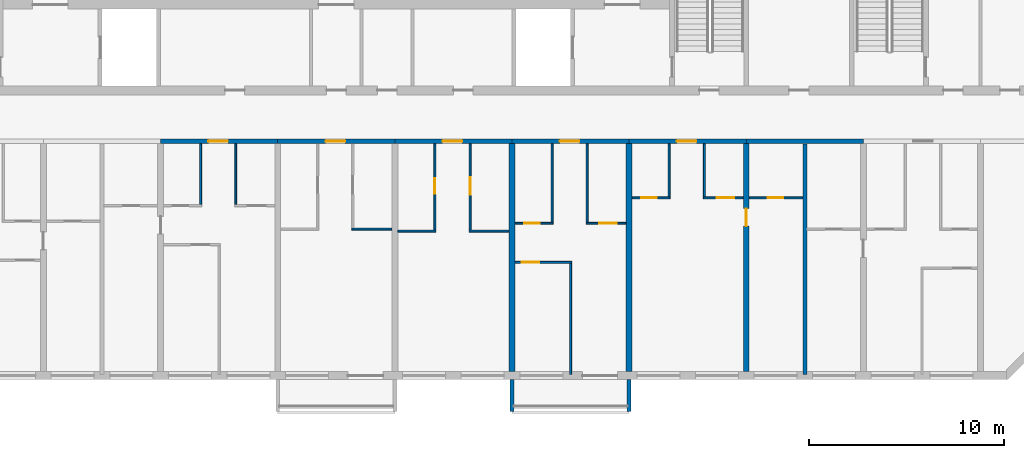
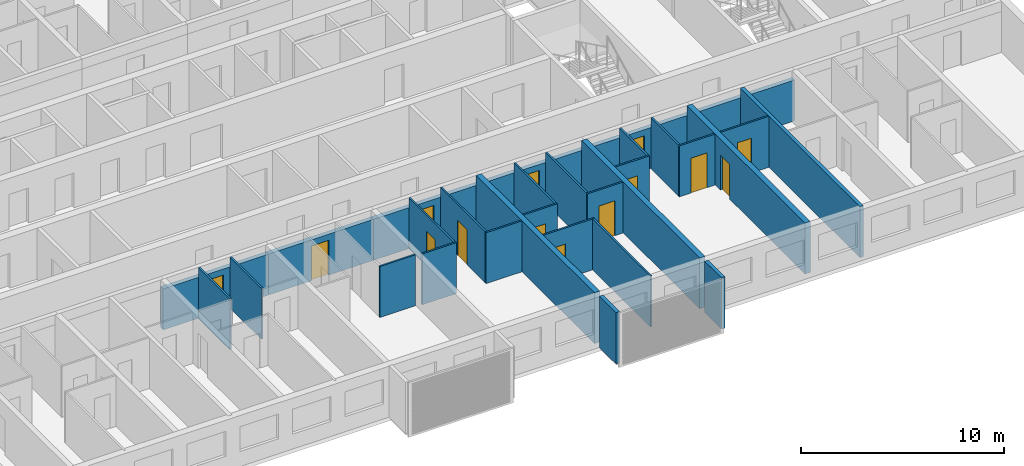
# One storey, part 5 of 31: 30 walls, 14 doors, 14 openings.
"""IFC4 building model written with IfcOpenShell, lengths in metres."""

from ifc_helpers import new_model, si_unit, direction, frame, frame_2d, origin, place, context, subcontext, project, spatial, polyline, rectangle, outline, extrude, source, transform, mapped, material, layer, layer_set, type_object, element, fill, save


model = new_model("IFC4")

# Units and contexts
model_context = context("Model", 3, precision=1e-05, world=origin(), true_north=direction((0.0, 1.0)))
body_context = subcontext(model_context, "Body", "Model", "MODEL_VIEW")
ifc_project = project(units=[si_unit("LENGTHUNIT", "METRE"), si_unit("AREAUNIT", "SQUARE_METRE"), si_unit("VOLUMEUNIT", "CUBIC_METRE"), si_unit("PLANEANGLEUNIT", "RADIAN"), si_unit("MASSUNIT", "GRAM", prefix="KILO")], contexts=[model_context])

# Site, building, storey
site_placement = place(None, origin())
site = spatial("IfcSite", under=ifc_project, at=site_placement, CompositionType="ELEMENT")
building_placement = place(site_placement, origin())
building = spatial("IfcBuilding", under=site, at=building_placement, Name="Poui Terraces", CompositionType="ELEMENT")
storey_placement = place(building_placement, frame((0.0, 0.0, 145.5)))
storey = spatial("IfcBuildingStorey", under=building, at=storey_placement, Name="L40", CompositionType="ELEMENT", Elevation=145.5)

# Wall, opening, door
ifc_material_1 = material(Name="Concrete 65 MPa", Category="concrete")
ifc_layer_1 = layer(ifc_material_1, 0.25)
ifc_layer_set_1 = layer_set([ifc_layer_1], Name="Concrete 65 MPa")
wall_type_1 = type_object("IfcWallType", Name="CORRIDOR WALL 250 65MPa", PredefinedType="SHEAR", material=ifc_layer_set_1)
wall_1_placement = place(storey_placement, frame((42.0, 12.0, 0.0), z_axis=(0.0, 0.0, 1.0), x_axis=(1.0, 0.0, 0.0)))
wall_1 = element("IfcWall", 1, at=wall_1_placement, inside=storey, type_object=wall_type_1, Name="CORRIDOR WALL LINE B BAY 6", PredefinedType="SHEAR", context=body_context, shape_type="SweptSolid", body=[
    extrude(rectangle(XDim=6.0, YDim=0.25, at=frame_2d((3.0, 0.0))), origin(), (0.0, 0.0, 1.0), 2.469970703125),
])
opening_1_placement = place(wall_1_placement, frame((2.449951171875, 0.0, 0.0)))
opening_1 = element("IfcOpeningElement", 2, at=opening_1_placement, cuts=wall_1, Name="Opening FD30S", PredefinedType="OPENING", context=body_context, shape_type="SweptSolid", body=[
    extrude(rectangle(XDim=1.0, YDim=2.10009765625, at=frame_2d((0.5, 1.050048828125))), frame((0.0, 0.135009765625, 0.0), z_axis=(0.0, -1.0, 0.0), x_axis=(1.0, 0.0, 0.0)), (0.0, 0.0, 1.0), 0.27001953125),
])
ifc_material_2 = material(Name="Steel fire door", Category="steel")
door_type_1 = type_object("IfcDoorType", Name="FLAT ENTRANCE DOOR 1000 X 2100", OperationType="NOTDEFINED", PredefinedType="DOOR", material=ifc_material_2)
door_1_placement = place(opening_1_placement, frame((1.0, 0.0, 0.0), z_axis=(0.0, 0.0, 1.0), x_axis=(-1.0, 0.0, 0.0)))
door_1 = element("IfcDoor", 3, at=door_1_placement, inside=storey, type_object=door_type_1, Name="FLAT ENTRANCE DOOR 096", OperationType="SINGLE_SWING_RIGHT", OverallHeight=2.10009765625, OverallWidth=1.0, PredefinedType="DOOR", context=body_context, shape_type="SweptSolid", body=[
    extrude(rectangle(XDim=1.0, YDim=2.10009765625, at=frame_2d((0.5, 1.050048828125))), frame((0.0, 0.02490234375, 0.0), z_axis=(0.0, -1.0, 0.0), x_axis=(1.0, 0.0, 0.0)), (0.0, 0.0, 1.0), 0.050048828125),
])
fill(opening_1, door_1)

wall_2_placement = place(storey_placement, frame((48.0, 12.0, 0.0), z_axis=(0.0, 0.0, 1.0), x_axis=(1.0, 0.0, 0.0)))
wall_2 = element("IfcWall", 4, at=wall_2_placement, inside=storey, type_object=wall_type_1, Name="CORRIDOR WALL LINE B BAY 7", PredefinedType="SHEAR", context=body_context, shape_type="SweptSolid", body=[
    extrude(rectangle(XDim=6.0, YDim=0.25, at=frame_2d((3.0, 0.0))), origin(), (0.0, 0.0, 1.0), 2.469970703125),
])
opening_2_placement = place(wall_2_placement, frame((2.449951171875, 0.0, 0.0)))
opening_2 = element("IfcOpeningElement", 5, at=opening_2_placement, cuts=wall_2, Name="Opening FD30S", PredefinedType="OPENING", context=body_context, shape_type="SweptSolid", body=[
    extrude(rectangle(XDim=1.0, YDim=2.10009765625, at=frame_2d((0.5, 1.050048828125))), frame((0.0, 0.135009765625, 0.0), z_axis=(0.0, -1.0, 0.0), x_axis=(1.0, 0.0, 0.0)), (0.0, 0.0, 1.0), 0.27001953125),
])
door_2_placement = place(opening_2_placement, frame((1.0, 0.0, 0.0), z_axis=(0.0, 0.0, 1.0), x_axis=(-1.0, 0.0, 0.0)))
door_2 = element("IfcDoor", 6, at=door_2_placement, inside=storey, type_object=door_type_1, Name="FLAT ENTRANCE DOOR 099", OperationType="SINGLE_SWING_RIGHT", OverallHeight=2.10009765625, OverallWidth=1.0, PredefinedType="DOOR", context=body_context, shape_type="SweptSolid", body=[
    extrude(rectangle(XDim=1.0, YDim=2.10009765625, at=frame_2d((0.5, 1.050048828125))), frame((0.0, 0.02490234375, 0.0), z_axis=(0.0, -1.0, 0.0), x_axis=(1.0, 0.0, 0.0)), (0.0, 0.0, 1.0), 0.050048828125),
])
fill(opening_2, door_2)

wall_3_placement = place(storey_placement, frame((54.0, 12.0, 0.0), z_axis=(0.0, 0.0, 1.0), x_axis=(1.0, 0.0, 0.0)))
wall_3 = element("IfcWall", 7, at=wall_3_placement, inside=storey, type_object=wall_type_1, Name="CORRIDOR WALL LINE B BAY 8", PredefinedType="SHEAR", context=body_context, shape_type="SweptSolid", body=[
    extrude(rectangle(XDim=6.0, YDim=0.25, at=frame_2d((3.0, 0.0))), origin(), (0.0, 0.0, 1.0), 2.469970703125),
])
opening_3_placement = place(wall_3_placement, frame((2.449951171875, 0.0, 0.0)))
opening_3 = element("IfcOpeningElement", 8, at=opening_3_placement, cuts=wall_3, Name="Opening FD30S", PredefinedType="OPENING", context=body_context, shape_type="SweptSolid", body=[
    extrude(rectangle(XDim=1.0, YDim=2.10009765625, at=frame_2d((0.5, 1.050048828125))), frame((0.0, 0.135009765625, 0.0), z_axis=(0.0, -1.0, 0.0), x_axis=(1.0, 0.0, 0.0)), (0.0, 0.0, 1.0), 0.27001953125),
])
door_3_placement = place(opening_3_placement, frame((1.0, 0.0, 0.0), z_axis=(0.0, 0.0, 1.0), x_axis=(-1.0, 0.0, 0.0)))
door_3 = element("IfcDoor", 9, at=door_3_placement, inside=storey, type_object=door_type_1, Name="FLAT ENTRANCE DOOR 102", OperationType="SINGLE_SWING_RIGHT", OverallHeight=2.10009765625, OverallWidth=1.0, PredefinedType="DOOR", context=body_context, shape_type="SweptSolid", body=[
    extrude(rectangle(XDim=1.0, YDim=2.10009765625, at=frame_2d((0.5, 1.050048828125))), frame((0.0, 0.02490234375, 0.0), z_axis=(0.0, -1.0, 0.0), x_axis=(1.0, 0.0, 0.0)), (0.0, 0.0, 1.0), 0.050048828125),
])
fill(opening_3, door_3)

wall_4_placement = place(storey_placement, frame((60.0, 12.0, 0.0), z_axis=(0.0, 0.0, 1.0), x_axis=(1.0, 0.0, 0.0)))
wall_4 = element("IfcWall", 10, at=wall_4_placement, inside=storey, type_object=wall_type_1, Name="CORRIDOR WALL LINE B BAY 9", PredefinedType="SHEAR", context=body_context, shape_type="SweptSolid", body=[
    extrude(rectangle(XDim=6.0, YDim=0.25, at=frame_2d((3.0, 0.0))), origin(), (0.0, 0.0, 1.0), 2.469970703125),
])
opening_4_placement = place(wall_4_placement, frame((2.449951171875, 0.0, 0.0)))
opening_4 = element("IfcOpeningElement", 11, at=opening_4_placement, cuts=wall_4, Name="Opening FD30S", PredefinedType="OPENING", context=body_context, shape_type="SweptSolid", body=[
    extrude(rectangle(XDim=1.0, YDim=2.10009765625, at=frame_2d((0.5, 1.050048828125))), frame((0.0, 0.135009765625, 0.0), z_axis=(0.0, -1.0, 0.0), x_axis=(1.0, 0.0, 0.0)), (0.0, 0.0, 1.0), 0.27001953125),
])
door_4_placement = place(opening_4_placement, frame((1.0, 0.0, 0.0), z_axis=(0.0, 0.0, 1.0), x_axis=(-1.0, 0.0, 0.0)))
door_4 = element("IfcDoor", 12, at=door_4_placement, inside=storey, type_object=door_type_1, Name="FLAT ENTRANCE DOOR 106", OperationType="SINGLE_SWING_RIGHT", OverallHeight=2.10009765625, OverallWidth=1.0, PredefinedType="DOOR", context=body_context, shape_type="SweptSolid", body=[
    extrude(rectangle(XDim=1.0, YDim=2.10009765625, at=frame_2d((0.5, 1.050048828125))), frame((0.0, 0.02490234375, 0.0), z_axis=(0.0, -1.0, 0.0), x_axis=(1.0, 0.0, 0.0)), (0.0, 0.0, 1.0), 0.050048828125),
])
fill(opening_4, door_4)

wall_5_placement = place(storey_placement, frame((66.0, 12.0, 0.0), z_axis=(0.0, 0.0, 1.0), x_axis=(1.0, 0.0, 0.0)))
wall_5 = element("IfcWall", 13, at=wall_5_placement, inside=storey, type_object=wall_type_1, Name="CORRIDOR WALL LINE B BAY 10", PredefinedType="SHEAR", context=body_context, shape_type="SweptSolid", body=[
    extrude(rectangle(XDim=6.0, YDim=0.25, at=frame_2d((3.0, 0.0))), origin(), (0.0, 0.0, 1.0), 2.469970703125),
])
opening_5_placement = place(wall_5_placement, frame((2.449951171875, 0.0, 0.0)))
opening_5 = element("IfcOpeningElement", 14, at=opening_5_placement, cuts=wall_5, Name="Opening FD30S", PredefinedType="OPENING", context=body_context, shape_type="SweptSolid", body=[
    extrude(rectangle(XDim=1.0, YDim=2.10009765625, at=frame_2d((0.5, 1.050048828125))), frame((0.0, 0.135009765625, 0.0), z_axis=(0.0, -1.0, 0.0), x_axis=(1.0, 0.0, 0.0)), (0.0, 0.0, 1.0), 0.27001953125),
])
door_5_placement = place(opening_5_placement, frame((1.0, 0.0, 0.0), z_axis=(0.0, 0.0, 1.0), x_axis=(-1.0, 0.0, 0.0)))
door_5 = element("IfcDoor", 15, at=door_5_placement, inside=storey, type_object=door_type_1, Name="FLAT ENTRANCE DOOR 110", OperationType="SINGLE_SWING_RIGHT", OverallHeight=2.10009765625, OverallWidth=1.0, PredefinedType="DOOR", context=body_context, shape_type="SweptSolid", body=[
    extrude(rectangle(XDim=1.0, YDim=2.10009765625, at=frame_2d((0.5, 1.050048828125))), frame((0.0, 0.02490234375, 0.0), z_axis=(0.0, -1.0, 0.0), x_axis=(1.0, 0.0, 0.0)), (0.0, 0.0, 1.0), 0.050048828125),
])
fill(opening_5, door_5)

# Walls
wall_6_placement = place(storey_placement, frame((72.0, 12.0, 0.0), z_axis=(0.0, 0.0, 1.0), x_axis=(1.0, 0.0, 0.0)))
element("IfcWall", 16, at=wall_6_placement, inside=storey, type_object=wall_type_1, Name="CORRIDOR WALL LINE B BAY 11", PredefinedType="SHEAR", context=body_context, shape_type="SweptSolid", body=[
    extrude(rectangle(XDim=6.0, YDim=0.25, at=frame_2d((3.0, 0.0))), origin(), (0.0, 0.0, 1.0), 2.469970703125),
])
ifc_layer_2 = layer(ifc_material_1, 0.300048828125)
ifc_layer_set_2 = layer_set([ifc_layer_2], Name="Concrete 65 MPa")
wall_type_2 = type_object("IfcWallType", Name="CROSS WALL 300 65MPa", PredefinedType="SHEAR", material=ifc_layer_set_2)
for number, where, z_axis, x_axis, name in (
    (17, (60.0, 0.199951171875, 0.0), (0.0, 0.0, 1.0), (0.0, 1.0, 0.0), "CROSS WALL LINE 11 SOUTH"),
    (18, (66.0, 0.199951171875, 0.0), (0.0, 0.0, 1.0), (0.0, 1.0, 0.0), "CROSS WALL LINE 12 SOUTH"),
):
    element("IfcWall", number, at=place(storey_placement, frame(where, z_axis=z_axis, x_axis=x_axis)), inside=storey, type_object=wall_type_2, Name=name, PredefinedType="SHEAR", context=body_context, shape_type="SweptSolid", body=[
        extrude(rectangle(XDim=11.675048828125, YDim=0.300048828125, at=frame_2d((5.83740234375, 0.0))), origin(), (0.0, 0.0, 1.0), 3.070068359375),
    ])

# Wall, opening, door
wall_7_placement = place(storey_placement, frame((72.0, 0.199951171875, 0.0), z_axis=(0.0, 0.0, 1.0), x_axis=(0.0, 1.0, 0.0)))
wall_7 = element("IfcWall", 19, at=wall_7_placement, inside=storey, type_object=wall_type_2, Name="CROSS WALL LINE 13 SOUTH", PredefinedType="SHEAR", context=body_context, shape_type="SweptSolid", body=[
    extrude(rectangle(XDim=11.675048828125, YDim=0.300048828125, at=frame_2d((5.83740234375, 0.0))), origin(), (0.0, 0.0, 1.0), 3.070068359375),
])
opening_6_placement = place(wall_7_placement, frame((7.449951171875, 0.0, 0.0)))
opening_6 = element("IfcOpeningElement", 20, at=opening_6_placement, cuts=wall_7, Name="Opening D90", PredefinedType="OPENING", context=body_context, shape_type="SweptSolid", body=[
    extrude(rectangle(XDim=0.89990234375, YDim=2.10009765625, at=frame_2d((0.449951171875, 1.050048828125))), frame((0.0, 0.16015625, 0.0), z_axis=(0.0, -1.0, 0.0), x_axis=(1.0, 0.0, 0.0)), (0.0, 0.0, 1.0), 0.320068359375),
])
ifc_material_3 = material(Name="Solid core timber door", Category="wood")
door_type_2 = type_object("IfcDoorType", Name="INTERNAL DOOR 900 X 2100", OperationType="NOTDEFINED", PredefinedType="DOOR", material=ifc_material_3)
door_6_placement = place(opening_6_placement, frame((0.89990234375, 0.0, 0.0), z_axis=(0.0, 0.0, 1.0), x_axis=(-1.0, 0.0, 0.0)))
door_6 = element("IfcDoor", 21, at=door_6_placement, inside=storey, type_object=door_type_2, Name="INTERNAL DOOR 112", OperationType="SINGLE_SWING_LEFT", OverallHeight=2.10009765625, OverallWidth=0.89990234375, PredefinedType="DOOR", context=body_context, shape_type="SweptSolid", body=[
    extrude(rectangle(XDim=0.89990234375, YDim=2.10009765625, at=frame_2d((0.449951171875, 1.050048828125))), frame((0.0, 0.02490234375, 0.0), z_axis=(0.0, -1.0, 0.0), x_axis=(1.0, 0.0, 0.0)), (0.0, 0.0, 1.0), 0.050048828125),
])
fill(opening_6, door_6)

ifc_material_4 = material(Name="Plasterboard partition")
ifc_layer_3 = layer(ifc_material_4, 0.10009765625)
ifc_layer_set_3 = layer_set([ifc_layer_3], Name="Plasterboard partition")
wall_type_3 = type_object("IfcWallType", Name="FLAT PARTITION 100", PredefinedType="PARTITIONING", material=ifc_layer_set_3)
wall_8_placement = place(storey_placement, frame((60.159912109375, 5.800048828125, 0.0), z_axis=(0.0, 0.0, 1.0), x_axis=(1.0, 0.0, 0.0)))
wall_8 = element("IfcWall", 22, at=wall_8_placement, inside=storey, type_object=wall_type_3, Name="FLAT PARTITION 100", PredefinedType="PARTITIONING", context=body_context, shape_type="SweptSolid", body=[
    extrude(rectangle(XDim=2.89013671875, YDim=0.10009765625, at=frame_2d((1.445068359375, 0.0))), origin(), (0.0, 0.0, 1.0), 3.070068359375),
])
opening_7_placement = place(wall_8_placement, frame((0.340087890625, 0.0, 0.0)))
opening_7 = element("IfcOpeningElement", 23, at=opening_7_placement, cuts=wall_8, Name="Opening D90", PredefinedType="OPENING", context=body_context, shape_type="SweptSolid", body=[
    extrude(rectangle(XDim=0.89990234375, YDim=2.10009765625, at=frame_2d((0.449951171875, 1.050048828125))), frame((0.0, 0.06005859375, 0.0), z_axis=(0.0, -1.0, 0.0), x_axis=(1.0, 0.0, 0.0)), (0.0, 0.0, 1.0), 0.1201171875),
])
door_7_placement = place(opening_7_placement, origin())
door_7 = element("IfcDoor", 24, at=door_7_placement, inside=storey, type_object=door_type_2, Name="INTERNAL DOOR 104", OperationType="SINGLE_SWING_RIGHT", OverallHeight=2.10009765625, OverallWidth=0.89990234375, PredefinedType="DOOR", context=body_context, shape_type="SweptSolid", body=[
    extrude(rectangle(XDim=0.89990234375, YDim=2.10009765625, at=frame_2d((0.449951171875, 1.050048828125))), frame((0.0, 0.02490234375, 0.0), z_axis=(0.0, -1.0, 0.0), x_axis=(1.0, 0.0, 0.0)), (0.0, 0.0, 1.0), 0.050048828125),
])
fill(opening_7, door_7)

# Walls
wall_9_placement = place(storey_placement, frame((54.159912109375, 7.39990234375, 0.0), z_axis=(0.0, 0.0, 1.0), x_axis=(1.0, 0.0, 0.0)))
element("IfcWall", 25, at=wall_9_placement, inside=storey, type_object=wall_type_3, Name="FLAT PARTITION 100", PredefinedType="PARTITIONING", context=body_context, shape_type="SweptSolid", body=[
    extrude(rectangle(XDim=1.940185546875, YDim=0.10009765625, at=frame_2d((0.97021484375, 0.0))), origin(), (0.0, 0.0, 1.0), 3.070068359375),
])
for number, where, z_axis, x_axis, name in (
    (26, (57.800048828125, 7.39990234375, 0.0), (0.0, 0.0, 1.0), (1.0, 0.0, 0.0), "FLAT PARTITION 100"),
    (27, (51.800048828125, 7.5, 0.0), (0.0, 0.0, 1.0), (1.0, 0.0, 0.0), "FLAT PARTITION 100"),
):
    element("IfcWall", number, at=place(storey_placement, frame(where, z_axis=z_axis, x_axis=x_axis)), inside=storey, type_object=wall_type_3, Name=name, PredefinedType="PARTITIONING", context=body_context, shape_type="SweptSolid", body=[
        extrude(rectangle(XDim=2.0400390625, YDim=0.10009765625, at=frame_2d((1.02001953125, 0.0))), origin(), (0.0, 0.0, 1.0), 3.070068359375),
    ])

# Wall, opening, door
wall_10_placement = place(storey_placement, frame((60.159912109375, 7.800048828125, 0.0), z_axis=(0.0, 0.0, 1.0), x_axis=(1.0, 0.0, 0.0)))
wall_10 = element("IfcWall", 28, at=wall_10_placement, inside=storey, type_object=wall_type_3, Name="FLAT PARTITION 100", PredefinedType="PARTITIONING", context=body_context, shape_type="SweptSolid", body=[
    extrude(rectangle(XDim=1.940185546875, YDim=0.10009765625, at=frame_2d((0.97021484375, 0.0))), origin(), (0.0, 0.0, 1.0), 3.070068359375),
])
opening_8_placement = place(wall_10_placement, frame((0.465087890625, 0.0, 0.0)))
opening_8 = element("IfcOpeningElement", 29, at=opening_8_placement, cuts=wall_10, Name="Opening D80", PredefinedType="OPENING", context=body_context, shape_type="SweptSolid", body=[
    extrude(rectangle(XDim=0.800048828125, YDim=2.10009765625, at=frame_2d((0.39990234375, 1.050048828125))), frame((0.0, 0.06005859375, 0.0), z_axis=(0.0, -1.0, 0.0), x_axis=(1.0, 0.0, 0.0)), (0.0, 0.0, 1.0), 0.1201171875),
])
door_type_3 = type_object("IfcDoorType", Name="BATHROOM, LAUNDRY AND STORE DOOR 800 X 2100", OperationType="NOTDEFINED", PredefinedType="DOOR", material=ifc_material_3)
door_8_placement = place(opening_8_placement, origin())
door_8 = element("IfcDoor", 30, at=door_8_placement, inside=storey, type_object=door_type_3, Name="BATHROOM, LAUNDRY AND STORE DOOR 105", OperationType="SINGLE_SWING_LEFT", OverallHeight=2.10009765625, OverallWidth=0.800048828125, PredefinedType="DOOR", context=body_context, shape_type="SweptSolid", body=[
    extrude(rectangle(XDim=0.800048828125, YDim=2.10009765625, at=frame_2d((0.39990234375, 1.050048828125))), frame((0.0, 0.02490234375, 0.0), z_axis=(0.0, -1.0, 0.0), x_axis=(1.0, 0.0, 0.0)), (0.0, 0.0, 1.0), 0.050048828125),
])
fill(opening_8, door_8)

wall_11_placement = place(storey_placement, frame((63.800048828125, 7.800048828125, 0.0), z_axis=(0.0, 0.0, 1.0), x_axis=(1.0, 0.0, 0.0)))
wall_11 = element("IfcWall", 31, at=wall_11_placement, inside=storey, type_object=wall_type_3, Name="FLAT PARTITION 100", PredefinedType="PARTITIONING", context=body_context, shape_type="SweptSolid", body=[
    extrude(rectangle(XDim=2.0400390625, YDim=0.10009765625, at=frame_2d((1.02001953125, 0.0))), origin(), (0.0, 0.0, 1.0), 3.070068359375),
])
opening_9_placement = place(wall_11_placement, frame((0.675048828125, 0.0, 0.0)))
opening_9 = element("IfcOpeningElement", 32, at=opening_9_placement, cuts=wall_11, Name="Opening D90", PredefinedType="OPENING", context=body_context, shape_type="SweptSolid", body=[
    extrude(rectangle(XDim=0.89990234375, YDim=2.10009765625, at=frame_2d((0.449951171875, 1.050048828125))), frame((0.0, 0.06005859375, 0.0), z_axis=(0.0, -1.0, 0.0), x_axis=(1.0, 0.0, 0.0)), (0.0, 0.0, 1.0), 0.1201171875),
])
door_9_placement = place(opening_9_placement, origin())
door_9 = element("IfcDoor", 33, at=door_9_placement, inside=storey, type_object=door_type_2, Name="INTERNAL DOOR 107", OperationType="SINGLE_SWING_RIGHT", OverallHeight=2.10009765625, OverallWidth=0.89990234375, PredefinedType="DOOR", context=body_context, shape_type="SweptSolid", body=[
    extrude(rectangle(XDim=0.89990234375, YDim=2.10009765625, at=frame_2d((0.449951171875, 1.050048828125))), frame((0.0, 0.02490234375, 0.0), z_axis=(0.0, -1.0, 0.0), x_axis=(1.0, 0.0, 0.0)), (0.0, 0.0, 1.0), 0.050048828125),
])
fill(opening_9, door_9)

wall_12_placement = place(storey_placement, frame((66.159912109375, 9.10009765625, 0.0), z_axis=(0.0, 0.0, 1.0), x_axis=(1.0, 0.0, 0.0)))
wall_12 = element("IfcWall", 34, at=wall_12_placement, inside=storey, type_object=wall_type_3, Name="FLAT PARTITION 100", PredefinedType="PARTITIONING", context=body_context, shape_type="SweptSolid", body=[
    extrude(rectangle(XDim=1.940185546875, YDim=0.10009765625, at=frame_2d((0.97021484375, 0.0))), origin(), (0.0, 0.0, 1.0), 3.070068359375),
])
opening_10_placement = place(wall_12_placement, frame((0.465087890625, 0.0, 0.0)))
opening_10 = element("IfcOpeningElement", 35, at=opening_10_placement, cuts=wall_12, Name="Opening D80", PredefinedType="OPENING", context=body_context, shape_type="SweptSolid", body=[
    extrude(rectangle(XDim=0.800048828125, YDim=2.10009765625, at=frame_2d((0.39990234375, 1.050048828125))), frame((0.0, 0.06005859375, 0.0), z_axis=(0.0, -1.0, 0.0), x_axis=(1.0, 0.0, 0.0)), (0.0, 0.0, 1.0), 0.1201171875),
])
door_10_placement = place(opening_10_placement, origin())
door_10 = element("IfcDoor", 36, at=door_10_placement, inside=storey, type_object=door_type_3, Name="BATHROOM, LAUNDRY AND STORE DOOR 109", OperationType="SINGLE_SWING_LEFT", OverallHeight=2.10009765625, OverallWidth=0.800048828125, PredefinedType="DOOR", context=body_context, shape_type="SweptSolid", body=[
    extrude(rectangle(XDim=0.800048828125, YDim=2.10009765625, at=frame_2d((0.39990234375, 1.050048828125))), frame((0.0, 0.02490234375, 0.0), z_axis=(0.0, -1.0, 0.0), x_axis=(1.0, 0.0, 0.0)), (0.0, 0.0, 1.0), 0.050048828125),
])
fill(opening_10, door_10)

wall_13_placement = place(storey_placement, frame((69.800048828125, 9.10009765625, 0.0), z_axis=(0.0, 0.0, 1.0), x_axis=(1.0, 0.0, 0.0)))
wall_13 = element("IfcWall", 37, at=wall_13_placement, inside=storey, type_object=wall_type_3, Name="FLAT PARTITION 100", PredefinedType="PARTITIONING", context=body_context, shape_type="SweptSolid", body=[
    extrude(rectangle(XDim=2.0400390625, YDim=0.10009765625, at=frame_2d((1.02001953125, 0.0))), origin(), (0.0, 0.0, 1.0), 3.070068359375),
])
opening_11_placement = place(wall_13_placement, frame((0.675048828125, 0.0, 0.0)))
opening_11 = element("IfcOpeningElement", 38, at=opening_11_placement, cuts=wall_13, Name="Opening D90", PredefinedType="OPENING", context=body_context, shape_type="SweptSolid", body=[
    extrude(rectangle(XDim=0.89990234375, YDim=2.10009765625, at=frame_2d((0.449951171875, 1.050048828125))), frame((0.0, 0.06005859375, 0.0), z_axis=(0.0, -1.0, 0.0), x_axis=(1.0, 0.0, 0.0)), (0.0, 0.0, 1.0), 0.1201171875),
])
door_11_placement = place(opening_11_placement, origin())
door_11 = element("IfcDoor", 39, at=door_11_placement, inside=storey, type_object=door_type_2, Name="INTERNAL DOOR 111", OperationType="SINGLE_SWING_RIGHT", OverallHeight=2.10009765625, OverallWidth=0.89990234375, PredefinedType="DOOR", context=body_context, shape_type="SweptSolid", body=[
    extrude(rectangle(XDim=0.89990234375, YDim=2.10009765625, at=frame_2d((0.449951171875, 1.050048828125))), frame((0.0, 0.02490234375, 0.0), z_axis=(0.0, -1.0, 0.0), x_axis=(1.0, 0.0, 0.0)), (0.0, 0.0, 1.0), 0.050048828125),
])
fill(opening_11, door_11)

wall_14_placement = place(storey_placement, frame((72.159912109375, 9.10009765625, 0.0), z_axis=(0.0, 0.0, 1.0), x_axis=(1.0, 0.0, 0.0)))
wall_14 = element("IfcWall", 40, at=wall_14_placement, inside=storey, type_object=wall_type_3, Name="FLAT PARTITION 100", PredefinedType="PARTITIONING", context=body_context, shape_type="SweptSolid", body=[
    extrude(rectangle(XDim=2.739990234375, YDim=0.10009765625, at=frame_2d((1.3701171875, 0.0))), origin(), (0.0, 0.0, 1.0), 3.070068359375),
])
opening_12_placement = place(wall_14_placement, frame((0.93994140625, 0.0, 0.0)))
opening_12 = element("IfcOpeningElement", 41, at=opening_12_placement, cuts=wall_14, Name="Opening D80", PredefinedType="OPENING", context=body_context, shape_type="SweptSolid", body=[
    extrude(rectangle(XDim=0.800048828125, YDim=2.10009765625, at=frame_2d((0.39990234375, 1.050048828125))), frame((0.0, 0.06005859375, 0.0), z_axis=(0.0, -1.0, 0.0), x_axis=(1.0, 0.0, 0.0)), (0.0, 0.0, 1.0), 0.1201171875),
])
door_12_placement = place(opening_12_placement, origin())
door_12 = element("IfcDoor", 42, at=door_12_placement, inside=storey, type_object=door_type_3, Name="BATHROOM, LAUNDRY AND STORE DOOR 108", OperationType="SINGLE_SWING_RIGHT", OverallHeight=2.10009765625, OverallWidth=0.800048828125, PredefinedType="DOOR", context=body_context, shape_type="SweptSolid", body=[
    extrude(rectangle(XDim=0.800048828125, YDim=2.10009765625, at=frame_2d((0.39990234375, 1.050048828125))), frame((0.0, 0.02490234375, 0.0), z_axis=(0.0, -1.0, 0.0), x_axis=(1.0, 0.0, 0.0)), (0.0, 0.0, 1.0), 0.050048828125),
])
fill(opening_12, door_12)

# Walls
for number, where, z_axis, x_axis, name in (
    (43, (44.050048828125, 8.75, 0.0), (0.0, 0.0, 1.0), (0.0, 1.0, 0.0), "FLAT PARTITION 100"),
    (44, (45.85009765625, 8.75, 0.0), (0.0, 0.0, 1.0), (0.0, 1.0, 0.0), "FLAT PARTITION 100"),
):
    element("IfcWall", number, at=place(storey_placement, frame(where, z_axis=z_axis, x_axis=x_axis)), inside=storey, type_object=wall_type_3, Name=name, PredefinedType="PARTITIONING", context=body_context, shape_type="SweptSolid", body=[
        extrude(rectangle(XDim=3.114990234375, YDim=0.10009765625, at=frame_2d((1.5576171875, 0.0))), origin(), (0.0, 0.0, 1.0), 3.070068359375),
    ])

# Wall, opening, door
wall_15_placement = place(storey_placement, frame((56.050048828125, 7.449951171875, 0.0), z_axis=(0.0, 0.0, 1.0), x_axis=(0.0, 1.0, 0.0)))
wall_15 = element("IfcWall", 45, at=wall_15_placement, inside=storey, type_object=wall_type_3, Name="FLAT PARTITION 100", PredefinedType="PARTITIONING", context=body_context, shape_type="SweptSolid", body=[
    extrude(rectangle(XDim=4.4150390625, YDim=0.10009765625, at=frame_2d((2.20751953125, 0.0))), origin(), (0.0, 0.0, 1.0), 3.070068359375),
])
opening_13_placement = place(wall_15_placement, frame((1.85009765625, 0.0, 0.0)))
opening_13 = element("IfcOpeningElement", 46, at=opening_13_placement, cuts=wall_15, Name="Opening D80", PredefinedType="OPENING", context=body_context, shape_type="SweptSolid", body=[
    extrude(rectangle(XDim=0.800048828125, YDim=2.10009765625, at=frame_2d((0.39990234375, 1.050048828125))), frame((0.0, 0.06005859375, 0.0), z_axis=(0.0, -1.0, 0.0), x_axis=(1.0, 0.0, 0.0)), (0.0, 0.0, 1.0), 0.1201171875),
])
door_13_placement = place(opening_13_placement, origin())
door_13 = element("IfcDoor", 47, at=door_13_placement, inside=storey, type_object=door_type_3, Name="BATHROOM, LAUNDRY AND STORE DOOR 101", OperationType="SINGLE_SWING_LEFT", OverallHeight=2.10009765625, OverallWidth=0.800048828125, PredefinedType="DOOR", context=body_context, shape_type="SweptSolid", body=[
    extrude(rectangle(XDim=0.800048828125, YDim=2.10009765625, at=frame_2d((0.39990234375, 1.050048828125))), frame((0.0, 0.02490234375, 0.0), z_axis=(0.0, -1.0, 0.0), x_axis=(1.0, 0.0, 0.0)), (0.0, 0.0, 1.0), 0.050048828125),
])
fill(opening_13, door_13)

wall_16_placement = place(storey_placement, frame((57.85009765625, 7.449951171875, 0.0), z_axis=(0.0, 0.0, 1.0), x_axis=(0.0, 1.0, 0.0)))
wall_16 = element("IfcWall", 48, at=wall_16_placement, inside=storey, type_object=wall_type_3, Name="FLAT PARTITION 100", PredefinedType="PARTITIONING", context=body_context, shape_type="SweptSolid", body=[
    extrude(rectangle(XDim=4.4150390625, YDim=0.10009765625, at=frame_2d((2.20751953125, 0.0))), origin(), (0.0, 0.0, 1.0), 3.070068359375),
])
opening_14_placement = place(wall_16_placement, frame((1.800048828125, 0.0, 0.0)))
opening_14 = element("IfcOpeningElement", 49, at=opening_14_placement, cuts=wall_16, Name="Opening D90", PredefinedType="OPENING", context=body_context, shape_type="SweptSolid", body=[
    extrude(rectangle(XDim=0.89990234375, YDim=2.10009765625, at=frame_2d((0.449951171875, 1.050048828125))), frame((0.0, 0.06005859375, 0.0), z_axis=(0.0, -1.0, 0.0), x_axis=(1.0, 0.0, 0.0)), (0.0, 0.0, 1.0), 0.1201171875),
])
door_14_placement = place(opening_14_placement, frame((0.89990234375, 0.0, 0.0), z_axis=(0.0, 0.0, 1.0), x_axis=(-1.0, 0.0, 0.0)))
door_14 = element("IfcDoor", 50, at=door_14_placement, inside=storey, type_object=door_type_2, Name="INTERNAL DOOR 103", OperationType="SINGLE_SWING_LEFT", OverallHeight=2.10009765625, OverallWidth=0.89990234375, PredefinedType="DOOR", context=body_context, shape_type="SweptSolid", body=[
    extrude(rectangle(XDim=0.89990234375, YDim=2.10009765625, at=frame_2d((0.449951171875, 1.050048828125))), frame((0.0, 0.02490234375, 0.0), z_axis=(0.0, -1.0, 0.0), x_axis=(1.0, 0.0, 0.0)), (0.0, 0.0, 1.0), 0.050048828125),
])
fill(opening_14, door_14)

# Walls
wall_17_placement = place(storey_placement, frame((62.050048828125, 7.85009765625, 0.0), z_axis=(0.0, 0.0, 1.0), x_axis=(0.0, 1.0, 0.0)))
element("IfcWall", 51, at=wall_17_placement, inside=storey, type_object=wall_type_3, Name="FLAT PARTITION 100", PredefinedType="PARTITIONING", context=body_context, shape_type="SweptSolid", body=[
    extrude(rectangle(XDim=4.014892578125, YDim=0.10009765625, at=frame_2d((2.00732421875, 0.0))), origin(), (0.0, 0.0, 1.0), 3.070068359375),
])
wall_18_placement = place(storey_placement, frame((63.0, 0.06005859375, 0.0), z_axis=(0.0, 0.0, 1.0), x_axis=(0.0, 1.0, 0.0)))
element("IfcWall", 52, at=wall_18_placement, inside=storey, type_object=wall_type_3, Name="FLAT PARTITION 100", PredefinedType="PARTITIONING", context=body_context, shape_type="SweptSolid", body=[
    extrude(rectangle(XDim=5.68994140625, YDim=0.10009765625, at=frame_2d((2.844970703125, 0.0))), origin(), (0.0, 0.0, 1.0), 3.070068359375),
])
wall_19_placement = place(storey_placement, frame((63.85009765625, 7.85009765625, 0.0), z_axis=(0.0, 0.0, 1.0), x_axis=(0.0, 1.0, 0.0)))
element("IfcWall", 53, at=wall_19_placement, inside=storey, type_object=wall_type_3, Name="FLAT PARTITION 100", PredefinedType="PARTITIONING", context=body_context, shape_type="SweptSolid", body=[
    extrude(rectangle(XDim=4.014892578125, YDim=0.10009765625, at=frame_2d((2.00732421875, 0.0))), origin(), (0.0, 0.0, 1.0), 3.070068359375),
])
for number, where, z_axis, x_axis, name in (
    (54, (68.050048828125, 9.14990234375, 0.0), (0.0, 0.0, 1.0), (0.0, 1.0, 0.0), "FLAT PARTITION 100"),
    (55, (69.85009765625, 9.14990234375, 0.0), (0.0, 0.0, 1.0), (0.0, 1.0, 0.0), "FLAT PARTITION 100"),
):
    element("IfcWall", number, at=place(storey_placement, frame(where, z_axis=z_axis, x_axis=x_axis)), inside=storey, type_object=wall_type_3, Name=name, PredefinedType="PARTITIONING", context=body_context, shape_type="SweptSolid", body=[
        extrude(rectangle(XDim=2.715087890625, YDim=0.10009765625, at=frame_2d((1.357421875, 0.0))), origin(), (0.0, 0.0, 1.0), 3.070068359375),
    ])
ifc_material_5 = material(Name="Fire-rated masonry wall", Category="masonry")
ifc_layer_4 = layer(ifc_material_5, 0.199951171875)
ifc_layer_set_4 = layer_set([ifc_layer_4], Name="Fire-rated masonry wall")
wall_type_4 = type_object("IfcWallType", Name="FLAT PARTY WALL 200", PredefinedType="PARTITIONING", material=ifc_layer_set_4)
wall_20_placement = place(storey_placement, frame((75.0, 0.06005859375, 0.0), z_axis=(0.0, 0.0, 1.0), x_axis=(0.0, 1.0, 0.0)))
element("IfcWall", 56, at=wall_20_placement, inside=storey, type_object=wall_type_4, Name="FLAT PARTY WALL 200", PredefinedType="PARTITIONING", context=body_context, shape_type="SweptSolid", body=[
    extrude(rectangle(XDim=11.804931640625, YDim=0.199951171875, at=frame_2d((5.90234375, 0.0))), origin(), (0.0, 0.0, 1.0), 3.070068359375),
])
ifc_material_6 = material(Name="Precast concrete 40 MPa", Category="concrete")
ifc_layer_5 = layer(ifc_material_6, 0.199951171875)
ifc_layer_set_5 = layer_set([ifc_layer_5], Name="Precast concrete 40 MPa")
wall_type_5 = type_object("IfcWallType", Name="REAR FIN 200", PredefinedType="STANDARD", material=ifc_layer_set_5)
shared_shape = source(origin(), body_context, "Body", "SweptSolid", [
    extrude(outline(polyline([(0.0, 0.0), (0.2001953125, 0.0), (0.2001953125, 1.650146484375), (0.0, 1.650146484375), (0.0, 0.0)])), origin(), (0.0, 0.0, 1.0), 3.10009765625),
])
for number, where, name in (
    (57, (59.89990234375, -1.85009765625, 0.0), "REAR FIN"),
    (58, (65.89990234375, -1.85009765625, 0.0), "REAR FIN"),
):
    element("IfcWall", number, at=place(storey_placement, frame(where)), inside=storey, type_object=wall_type_5, Name=name, PredefinedType="STANDARD", context=body_context, shape_type="MappedRepresentation", body=[
        mapped(shared_shape, transform((0.0, 0.0, 0.0))),
    ])

save(model, "model.ifc")
